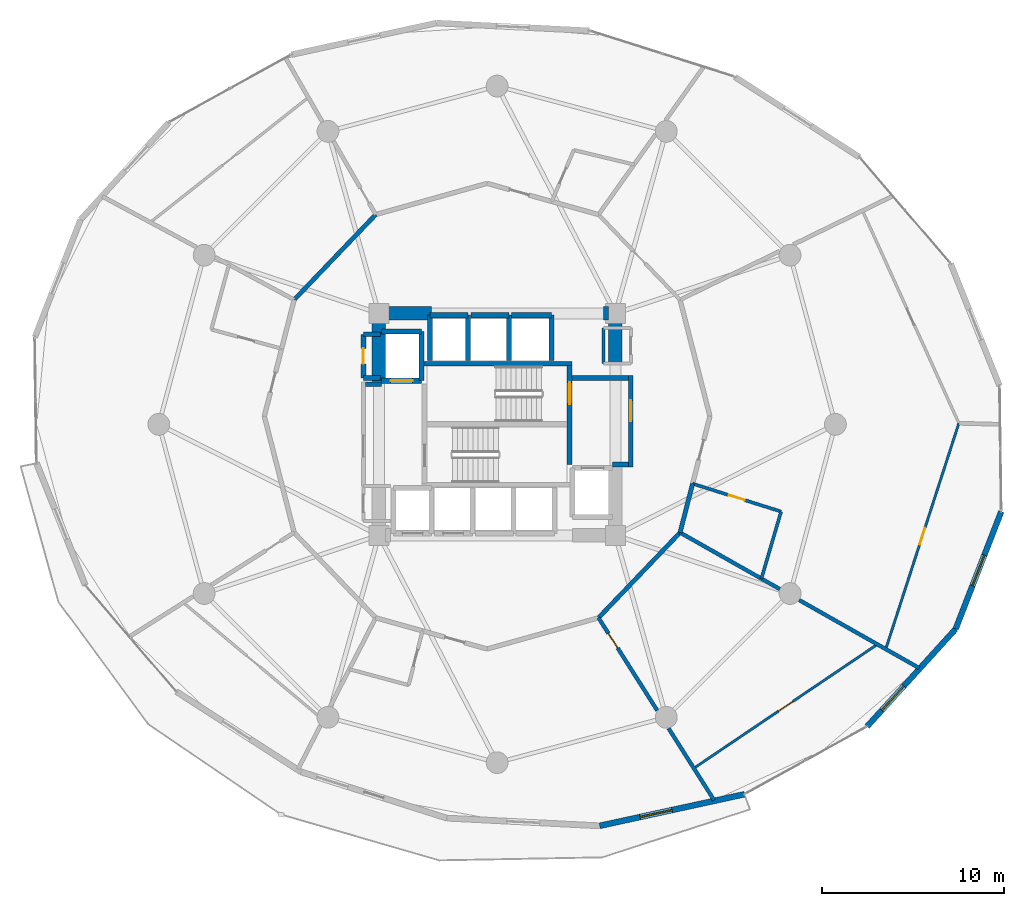
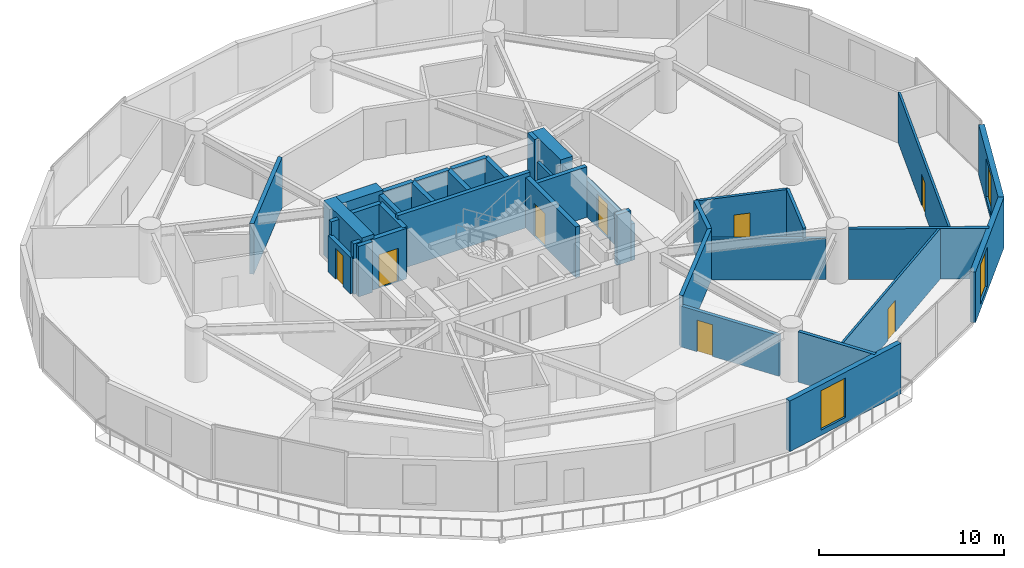
# One storey, part 18 of 23: 38 walls, 8 doors, 3 windows, 11 openings.
"""IFC4 building model written with IfcOpenShell, lengths in metres."""

from ifc_helpers import new_model, si_unit, direction, frame, frame_2d, origin, place, context, subcontext, project, spatial, rectangle, extrude, material, layer, layer_set, type_object, element, fill, save


model = new_model("IFC4")

# Units and contexts
model_context = context("Model", 3, precision=1e-05, world=origin(), true_north=direction((0.0, 1.0)))
body_context = subcontext(model_context, "Body", "Model", "MODEL_VIEW")
ifc_project = project(units=[si_unit("LENGTHUNIT", "METRE"), si_unit("AREAUNIT", "SQUARE_METRE"), si_unit("VOLUMEUNIT", "CUBIC_METRE"), si_unit("PLANEANGLEUNIT", "RADIAN"), si_unit("MASSUNIT", "GRAM", prefix="KILO")], contexts=[model_context])

# Site, building, storey
site_placement = place(None, origin())
site = spatial("IfcSite", under=ifc_project, at=site_placement, CompositionType="ELEMENT")
building_placement = place(site_placement, origin())
building = spatial("IfcBuilding", under=site, at=building_placement, Name="Solvirekh Grand Hotel", CompositionType="ELEMENT")
storey_placement = place(building_placement, frame((0.0, 0.0, 46.39990234375)))
storey = spatial("IfcBuildingStorey", under=building, at=storey_placement, Name="L10", CompositionType="ELEMENT", Elevation=46.39990234375)

# Walls
ifc_material_1 = material(Name="Concrete C50/60", Category="concrete")
ifc_layer_1 = layer(ifc_material_1, 0.35009765625)
ifc_layer_set_1 = layer_set([ifc_layer_1], Name="Concrete C50/60")
wall_type_1 = type_object("IfcWallType", Name="CoreDivWall_RC350", PredefinedType="SOLIDWALL", material=ifc_layer_set_1)
wall_1_placement = place(storey_placement, frame((-4.1298828125, 3.324951171875, 0.0), z_axis=(0.0, 0.0, 1.0), x_axis=(1.0, 0.0, 0.0)))
element("IfcWall", 1, at=wall_1_placement, inside=storey, type_object=wall_type_1, Name="L10 core stair box wall ST-N", PredefinedType="SOLIDWALL", context=body_context, shape_type="SweptSolid", body=[
    extrude(rectangle(XDim=8.259765625, YDim=0.25, at=frame_2d((4.1298828125, 0.0))), origin(), (0.0, 0.0, 1.0), 3.60009765625),
])
ifc_material_2 = material(Name="Concrete C40/50", Category="concrete")
ifc_layer_2 = layer(ifc_material_2, 0.280029296875)
ifc_layer_set_2 = layer_set([ifc_layer_2], Name="Concrete C40/50")
wall_type_2 = type_object("IfcWallType", Name="CoreShaftWall_RC280", PredefinedType="SOLIDWALL", material=ifc_layer_set_2)
wall_2_placement = place(storey_placement, frame((-1.60009765625, 6.0, 0.0), z_axis=(0.0, 0.0, 1.0), x_axis=(-1.0, 0.0, 0.0)))
element("IfcWall", 2, at=wall_2_placement, inside=storey, type_object=wall_type_2, Name="L10 HP-1 hoistway N wall", PredefinedType="SOLIDWALL", context=body_context, shape_type="SweptSolid", body=[
    extrude(rectangle(XDim=2.099853515625, YDim=0.280029296875, at=frame_2d((1.0498046875, 0.0))), origin(), (0.0, 0.0, 1.0), 3.340087890625),
])
for number, where, z_axis, x_axis, name in (
    (3, (-3.699951171875, 6.0, 0.0), (0.0, 0.0, 1.0), (0.0, -1.0, 0.0), "L10 HP-1 hoistway W wall"),
    (4, (-1.60009765625, 3.5, 0.0), (0.0, 0.0, 1.0), (0.0, 1.0, 0.0), "L10 HP-1 hoistway E wall"),
):
    element("IfcWall", number, at=place(storey_placement, frame(where, z_axis=z_axis, x_axis=x_axis)), inside=storey, type_object=wall_type_2, Name=name, PredefinedType="SOLIDWALL", context=body_context, shape_type="SweptSolid", body=[
        extrude(rectangle(XDim=2.5, YDim=0.280029296875, at=frame_2d((1.25, 0.0))), origin(), (0.0, 0.0, 1.0), 3.340087890625),
    ])
wall_3_placement = place(storey_placement, frame((0.64990234375, 6.0, 0.0), z_axis=(0.0, 0.0, 1.0), x_axis=(-1.0, 0.0, 0.0)))
element("IfcWall", 5, at=wall_3_placement, inside=storey, type_object=wall_type_2, Name="L10 HP-2 hoistway N wall", PredefinedType="SOLIDWALL", context=body_context, shape_type="SweptSolid", body=[
    extrude(rectangle(XDim=2.099853515625, YDim=0.280029296875, at=frame_2d((1.0498046875, 0.0))), origin(), (0.0, 0.0, 1.0), 3.340087890625),
])
wall_4_placement = place(storey_placement, frame((0.64990234375, 3.5, 0.0), z_axis=(0.0, 0.0, 1.0), x_axis=(0.0, 1.0, 0.0)))
element("IfcWall", 6, at=wall_4_placement, inside=storey, type_object=wall_type_2, Name="L10 HP-2 hoistway E wall", PredefinedType="SOLIDWALL", context=body_context, shape_type="SweptSolid", body=[
    extrude(rectangle(XDim=2.5, YDim=0.280029296875, at=frame_2d((1.25, 0.0))), origin(), (0.0, 0.0, 1.0), 3.340087890625),
])
wall_5_placement = place(storey_placement, frame((3.0, 6.0, 0.0), z_axis=(0.0, 0.0, 1.0), x_axis=(-1.0, 0.0, 0.0)))
element("IfcWall", 7, at=wall_5_placement, inside=storey, type_object=wall_type_2, Name="L10 EX-1 hoistway N wall", PredefinedType="SOLIDWALL", context=body_context, shape_type="SweptSolid", body=[
    extrude(rectangle(XDim=2.199951171875, YDim=0.280029296875, at=frame_2d((1.10009765625, 0.0))), origin(), (0.0, 0.0, 1.0), 3.340087890625),
])
wall_6_placement = place(storey_placement, frame((3.0, 3.5, 0.0), z_axis=(0.0, 0.0, 1.0), x_axis=(0.0, 1.0, 0.0)))
element("IfcWall", 8, at=wall_6_placement, inside=storey, type_object=wall_type_2, Name="L10 EX-1 hoistway E wall", PredefinedType="SOLIDWALL", context=body_context, shape_type="SweptSolid", body=[
    extrude(rectangle(XDim=2.5, YDim=0.280029296875, at=frame_2d((1.25, 0.0))), origin(), (0.0, 0.0, 1.0), 3.340087890625),
])

# Wall, opening, door
wall_7_placement = place(storey_placement, frame((-6.35009765625, 2.39990234375, 0.0), z_axis=(0.0, 0.0, 1.0), x_axis=(1.0, 0.0, 0.0)))
wall_7 = element("IfcWall", 9, at=wall_7_placement, inside=storey, type_object=wall_type_2, Name="L10 FL-1 hoistway S wall", PredefinedType="SOLIDWALL", context=body_context, shape_type="SweptSolid", body=[
    extrude(rectangle(XDim=2.2001953125, YDim=0.280029296875, at=frame_2d((1.10009765625, 0.0))), origin(), (0.0, 0.0, 1.0), 3.340087890625),
])
opening_1_placement = place(wall_7_placement, frame((0.5, 0.0, 0.0)))
opening_1 = element("IfcOpeningElement", 10, at=opening_1_placement, cuts=wall_7, Name="Opening LD02", PredefinedType="OPENING", context=body_context, shape_type="SweptSolid", body=[
    extrude(rectangle(XDim=1.199951171875, YDim=2.199951171875, at=frame_2d((0.60009765625, 1.10009765625))), frame((0.0, 0.14990234375, 0.0), z_axis=(0.0, -1.0, 0.0), x_axis=(1.0, 0.0, 0.0)), (0.0, 0.0, 1.0), 0.300048828125),
])
ifc_material_3 = material(Name="Fire-Rated Steel Door Assembly", Category="steel")
door_type_1 = type_object("IfcDoorType", Name="Door_LiftFF_1200X2200", OperationType="SLIDING_TO_LEFT", PredefinedType="DOOR", material=ifc_material_3)
door_1_placement = place(opening_1_placement, origin())
door_1 = element("IfcDoor", 11, at=door_1_placement, inside=storey, type_object=door_type_1, Name="L10 FL-1 sliding lift landing door", OperationType="SLIDING_TO_LEFT", OverallHeight=2.199951171875, OverallWidth=1.199951171875, PredefinedType="DOOR", context=body_context, shape_type="SweptSolid", body=[
    extrude(rectangle(XDim=1.199951171875, YDim=2.199951171875, at=frame_2d((0.60009765625, 1.10009765625))), frame((0.0, 0.02490234375, 0.0), z_axis=(0.0, -1.0, 0.0), x_axis=(1.0, 0.0, 0.0)), (0.0, 0.0, 1.0), 0.050048828125),
])
fill(opening_1, door_1)

# Walls
wall_8_placement = place(storey_placement, frame((-4.14990234375, 5.10009765625, 0.0), z_axis=(0.0, 0.0, 1.0), x_axis=(-1.0, 0.0, 0.0)))
element("IfcWall", 12, at=wall_8_placement, inside=storey, type_object=wall_type_2, Name="L10 FL-1 hoistway N wall", PredefinedType="SOLIDWALL", context=body_context, shape_type="SweptSolid", body=[
    extrude(rectangle(XDim=2.2001953125, YDim=0.280029296875, at=frame_2d((1.10009765625, 0.0))), origin(), (0.0, 0.0, 1.0), 3.340087890625),
])
wall_9_placement = place(storey_placement, frame((-4.14990234375, 2.39990234375, 0.0), z_axis=(0.0, 0.0, 1.0), x_axis=(0.0, 1.0, 0.0)))
element("IfcWall", 13, at=wall_9_placement, inside=storey, type_object=wall_type_2, Name="L10 FL-1 hoistway E wall", PredefinedType="SOLIDWALL", context=body_context, shape_type="SweptSolid", body=[
    extrude(rectangle(XDim=2.7001953125, YDim=0.280029296875, at=frame_2d((1.35009765625, 0.0))), origin(), (0.0, 0.0, 1.0), 3.340087890625),
])

# Wall, opening, door
wall_10_placement = place(storey_placement, frame((3.989990234375, -2.2099609375, 0.0), z_axis=(0.0, 0.0, 1.0), x_axis=(0.0, 1.0, 0.0)))
wall_10 = element("IfcWall", 14, at=wall_10_placement, inside=storey, type_object=wall_type_2, Name="L10 east stair landing enclosure wall", PredefinedType="SOLIDWALL", context=body_context, shape_type="SweptSolid", body=[
    extrude(rectangle(XDim=5.4599609375, YDim=0.280029296875, at=frame_2d((2.72998046875, 0.0))), origin(), (0.0, 0.0, 1.0), 3.340087890625),
])
opening_2_placement = place(wall_10_placement, frame((3.322998046875, 0.0, 0.0)))
opening_2 = element("IfcOpeningElement", 15, at=opening_2_placement, cuts=wall_10, Name="Opening D05", PredefinedType="OPENING", context=body_context, shape_type="SweptSolid", body=[
    extrude(rectangle(XDim=1.199951171875, YDim=2.199951171875, at=frame_2d((0.60009765625, 1.10009765625))), frame((0.0, 0.14990234375, 0.0), z_axis=(0.0, -1.0, 0.0), x_axis=(1.0, 0.0, 0.0)), (0.0, 0.0, 1.0), 0.300048828125),
])
door_type_2 = type_object("IfcDoorType", Name="Door_StairCore_1200X2200", OperationType="NOTDEFINED", PredefinedType="DOOR", material=ifc_material_3)
door_2_placement = place(opening_2_placement, origin())
door_2 = element("IfcDoor", 16, at=door_2_placement, inside=storey, type_object=door_type_2, Name="L10 exit stair ST-2 fire door", OperationType="SINGLE_SWING_LEFT", OverallHeight=2.199951171875, OverallWidth=1.199951171875, PredefinedType="DOOR", context=body_context, shape_type="SweptSolid", body=[
    extrude(rectangle(XDim=1.199951171875, YDim=2.199951171875, at=frame_2d((0.60009765625, 1.10009765625))), frame((0.0, 0.02490234375, 0.0), z_axis=(0.0, -1.0, 0.0), x_axis=(1.0, 0.0, 0.0)), (0.0, 0.0, 1.0), 0.050048828125),
])
fill(opening_2, door_2)

# Walls
ifc_material_4 = material(Name="Concrete C60/75", Category="concrete")
ifc_layer_3 = layer(ifc_material_4, 0.75)
ifc_layer_set_3 = layer_set([ifc_layer_3], Name="Concrete C60/75")
wall_type_3 = type_object("IfcWallType", Name="CoreWall_RC750", PredefinedType="SHEAR", material=ifc_layer_set_3)
wall_11_placement = place(storey_placement, frame((-6.125, 6.10009765625, 0.0), z_axis=(0.0, 0.0, 1.0), x_axis=(1.0, 0.0, 0.0)))
element("IfcWall", 17, at=wall_11_placement, inside=storey, type_object=wall_type_3, Name="L10 core corner shear wall NW-N", PredefinedType="SHEAR", context=body_context, shape_type="SweptSolid", body=[
    extrude(rectangle(XDim=2.52490234375, YDim=0.75, at=frame_2d((1.262451171875, 0.0))), origin(), (0.0, 0.0, 1.0), 3.60009765625),
])
wall_12_placement = place(storey_placement, frame((5.85009765625, 6.10009765625, 0.0), z_axis=(0.0, 0.0, 1.0), x_axis=(1.0, 0.0, 0.0)))
element("IfcWall", 18, at=wall_12_placement, inside=storey, type_object=wall_type_3, Name="L10 core corner shear wall NE-N", PredefinedType="SHEAR", context=body_context, shape_type="SweptSolid", body=[
    extrude(rectangle(XDim=0.27490234375, YDim=0.75, at=frame_2d((0.137451171875, 0.0))), origin(), (0.0, 0.0, 1.0), 3.60009765625),
])
wall_13_placement = place(storey_placement, frame((-6.5, 2.35009765625, 0.0), z_axis=(0.0, 0.0, 1.0), x_axis=(0.0, 1.0, 0.0)))
element("IfcWall", 19, at=wall_13_placement, inside=storey, type_object=wall_type_3, Name="L10 core corner shear wall WN-W", PredefinedType="SHEAR", context=body_context, shape_type="SweptSolid", body=[
    extrude(rectangle(XDim=4.125, YDim=0.75, at=frame_2d((2.0625, 0.0))), origin(), (0.0, 0.0, 1.0), 3.60009765625),
])
wall_14_placement = place(storey_placement, frame((6.5, 3.35009765625, 0.0), z_axis=(0.0, 0.0, 1.0), x_axis=(0.0, 1.0, 0.0)))
element("IfcWall", 20, at=wall_14_placement, inside=storey, type_object=wall_type_3, Name="L10 core corner shear wall EN-E", PredefinedType="SHEAR", context=body_context, shape_type="SweptSolid", body=[
    extrude(rectangle(XDim=3.125, YDim=0.75, at=frame_2d((1.5625, 0.0))), origin(), (0.0, 0.0, 1.0), 3.60009765625),
])

# Wall, opening, window
ifc_material_5 = material(Name="Precast concrete C45/55", Category="concrete")
ifc_layer_4 = layer(ifc_material_5, 0.320068359375)
ifc_layer_set_4 = layer_set([ifc_layer_4], Name="Precast concrete C45/55")
wall_type_4 = type_object("IfcWallType", Name="ExtLobbyWall_RC320", PredefinedType="SOLIDWALL", material=ifc_layer_set_4)
wall_15_placement = place(storey_placement, frame((13.60302734375, -20.3359375, 0.0), z_axis=(0.0, 0.0, 1.0), x_axis=(-0.977017916809, -0.213157196066, 0.0)))
wall_15 = element("IfcWall", 21, at=wall_15_placement, inside=storey, type_object=wall_type_4, Name="L10 exterior structural wall chord 17", PredefinedType="SOLIDWALL", context=body_context, shape_type="SweptSolid", body=[
    extrude(rectangle(XDim=8.149169921875, YDim=0.320068359375, at=frame_2d((4.07470703125, 0.0))), origin(), (0.0, 0.0, 1.0), 3.340087890625),
])
opening_3_placement = place(wall_15_placement, frame((4.076904296875, 0.0, 0.35009765625)))
opening_3 = element("IfcOpeningElement", 22, at=opening_3_placement, cuts=wall_15, Name="Opening W02", PredefinedType="OPENING", context=body_context, shape_type="SweptSolid", body=[
    extrude(rectangle(XDim=1.800048828125, YDim=2.60009765625, at=frame_2d((0.89990234375, 1.300048828125))), frame((0.0, 0.169921875, 0.0), z_axis=(0.0, -1.0, 0.0), x_axis=(1.0, 0.0, 0.0)), (0.0, 0.0, 1.0), 0.340087890625),
])
ifc_material_6 = material(Name="Low-E Tinted Bronze Laminated Glass", Category="aluminium")
window_type = type_object("IfcWindowType", Name="Win_LobbyExt_1800X2600", PartitioningType="SINGLE_PANEL", PredefinedType="WINDOW", material=ifc_material_6)
window_1_placement = place(opening_3_placement, origin())
window_1 = element("IfcWindow", 23, at=window_1_placement, inside=storey, type_object=window_type, Name="L10 panoramic bronze-framed window 17", OverallHeight=2.60009765625, OverallWidth=1.800048828125, PartitioningType="SINGLE_PANEL", PredefinedType="WINDOW", context=body_context, shape_type="SweptSolid", body=[
    extrude(rectangle(XDim=1.800048828125, YDim=2.60009765625, at=frame_2d((0.89990234375, 1.300048828125))), frame((0.0, 0.030029296875, 0.0), z_axis=(0.0, -1.0, 0.0), x_axis=(1.0, 0.0, 0.0)), (0.0, 0.0, 1.0), 0.06005859375),
])
fill(opening_3, window_1)

wall_16_placement = place(storey_placement, frame((25.2109375, -11.2548828125, 0.0), z_axis=(0.0, 0.0, 1.0), x_axis=(-0.672493004141, -0.740103478833, 0.0)))
wall_16 = element("IfcWall", 24, at=wall_16_placement, inside=storey, type_object=wall_type_4, Name="L10 exterior structural wall chord 19", PredefinedType="SOLIDWALL", context=body_context, shape_type="SweptSolid", body=[
    extrude(rectangle(XDim=7.23291015625, YDim=0.320068359375, at=frame_2d((3.616455078125, 0.0))), origin(), (0.0, 0.0, 1.0), 3.340087890625),
])
opening_4_placement = place(wall_16_placement, frame((4.23291015625, 0.0, 0.35009765625)))
opening_4 = element("IfcOpeningElement", 25, at=opening_4_placement, cuts=wall_16, Name="Opening W02", PredefinedType="OPENING", context=body_context, shape_type="SweptSolid", body=[
    extrude(rectangle(XDim=1.800048828125, YDim=2.60009765625, at=frame_2d((0.89990234375, 1.300048828125))), frame((0.0, 0.169921875, 0.0), z_axis=(0.0, -1.0, 0.0), x_axis=(1.0, 0.0, 0.0)), (0.0, 0.0, 1.0), 0.340087890625),
])
window_2_placement = place(opening_4_placement, origin())
window_2 = element("IfcWindow", 26, at=window_2_placement, inside=storey, type_object=window_type, Name="L10 panoramic bronze-framed window 19", OverallHeight=2.60009765625, OverallWidth=1.800048828125, PartitioningType="SINGLE_PANEL", PredefinedType="WINDOW", context=body_context, shape_type="SweptSolid", body=[
    extrude(rectangle(XDim=1.800048828125, YDim=2.60009765625, at=frame_2d((0.89990234375, 1.300048828125))), frame((0.0, 0.030029296875, 0.0), z_axis=(0.0, -1.0, 0.0), x_axis=(1.0, 0.0, 0.0)), (0.0, 0.0, 1.0), 0.06005859375),
])
fill(opening_4, window_2)

wall_17_placement = place(storey_placement, frame((27.719970703125, -4.800048828125, 0.0), z_axis=(0.0, 0.0, 1.0), x_axis=(-0.362298249398, -0.93206221814, 0.0)))
wall_17 = element("IfcWall", 27, at=wall_17_placement, inside=storey, type_object=wall_type_4, Name="L10 exterior structural wall chord 20", PredefinedType="SOLIDWALL", context=body_context, shape_type="SweptSolid", body=[
    extrude(rectangle(XDim=6.92529296875, YDim=0.320068359375, at=frame_2d((3.462646484375, 0.0))), origin(), (0.0, 0.0, 1.0), 3.340087890625),
])
opening_5_placement = place(wall_17_placement, frame((2.56298828125, 0.0, 0.35009765625)))
opening_5 = element("IfcOpeningElement", 28, at=opening_5_placement, cuts=wall_17, Name="Opening W02", PredefinedType="OPENING", context=body_context, shape_type="SweptSolid", body=[
    extrude(rectangle(XDim=1.800048828125, YDim=2.60009765625, at=frame_2d((0.89990234375, 1.300048828125))), frame((0.0, 0.169921875, 0.0), z_axis=(0.0, -1.0, 0.0), x_axis=(1.0, 0.0, 0.0)), (0.0, 0.0, 1.0), 0.340087890625),
])
window_3_placement = place(opening_5_placement, origin())
window_3 = element("IfcWindow", 29, at=window_3_placement, inside=storey, type_object=window_type, Name="L10 panoramic bronze-framed window 20", OverallHeight=2.60009765625, OverallWidth=1.800048828125, PartitioningType="SINGLE_PANEL", PredefinedType="WINDOW", context=body_context, shape_type="SweptSolid", body=[
    extrude(rectangle(XDim=1.800048828125, YDim=2.60009765625, at=frame_2d((0.89990234375, 1.300048828125))), frame((0.0, 0.030029296875, 0.0), z_axis=(0.0, -1.0, 0.0), x_axis=(1.0, 0.0, 0.0)), (0.0, 0.0, 1.0), 0.06005859375),
])
fill(opening_5, window_3)

# Wall
ifc_material_7 = material(Name="Acoustic Gypsum Partition Assembly")
ifc_layer_5 = layer(ifc_material_7, 0.1650390625)
ifc_layer_set_5 = layer_set([ifc_layer_5], Name="Acoustic Gypsum Partition Assembly")
wall_type_5 = type_object("IfcWallType", Name="Part_BOH_165", PredefinedType="PARTITIONING", material=ifc_layer_set_5)
wall_18_placement = place(storey_placement, frame((5.85009765625, 5.300048828125, 0.0), z_axis=(0.0, 0.0, 1.0), x_axis=(0.0, -1.0, 0.0)))
element("IfcWall", 30, at=wall_18_placement, inside=storey, type_object=wall_type_5, Name="L10 L10 Core Housekeeping Room wall 4", PredefinedType="PARTITIONING", context=body_context, shape_type="SweptSolid", body=[
    extrude(rectangle(XDim=1.949951171875, YDim=0.1650390625, at=frame_2d((0.97509765625, 0.0))), origin(), (0.0, 0.0, 1.0), 2.425048828125),
])

# Wall, opening, door
ifc_layer_6 = layer(ifc_material_7, 0.239990234375)
ifc_layer_set_6 = layer_set([ifc_layer_6], Name="Acoustic Gypsum Partition Assembly")
wall_type_6 = type_object("IfcWallType", Name="Part_Corridor_240", PredefinedType="PARTITIONING", material=ifc_layer_set_6)
wall_19_placement = place(storey_placement, frame((7.35009765625, -2.340087890625, 0.0), z_axis=(0.0, 0.0, 1.0), x_axis=(0.0, 1.0, 0.0)))
wall_19 = element("IfcWall", 31, at=wall_19_placement, inside=storey, type_object=wall_type_6, Name="L10 east firefighting lobby smoke screen wall", PredefinedType="PARTITIONING", context=body_context, shape_type="SweptSolid", body=[
    extrude(rectangle(XDim=5.02001953125, YDim=0.239990234375, at=frame_2d((2.510009765625, 0.0))), origin(), (0.0, 0.0, 1.0), 2.425048828125),
])
opening_6_placement = place(wall_19_placement, frame((2.514892578125, 0.0, 0.0)))
opening_6 = element("IfcOpeningElement", 32, at=opening_6_placement, cuts=wall_19, Name="Opening D06", PredefinedType="OPENING", context=body_context, shape_type="SweptSolid", body=[
    extrude(rectangle(XDim=1.14990234375, YDim=2.199951171875, at=frame_2d((0.574951171875, 1.10009765625))), frame((0.0, 0.1298828125, 0.0), z_axis=(0.0, -1.0, 0.0), x_axis=(1.0, 0.0, 0.0)), (0.0, 0.0, 1.0), 0.260009765625),
])
door_type_3 = type_object("IfcDoorType", Name="Door_FFLobby_1150X2200", OperationType="NOTDEFINED", PredefinedType="DOOR", material=ifc_material_3)
door_3_placement = place(opening_6_placement, origin())
door_3 = element("IfcDoor", 33, at=door_3_placement, inside=storey, type_object=door_type_3, Name="L10 east firefighting lobby smoke door", OperationType="SINGLE_SWING_LEFT", OverallHeight=2.199951171875, OverallWidth=1.14990234375, PredefinedType="DOOR", context=body_context, shape_type="SweptSolid", body=[
    extrude(rectangle(XDim=1.14990234375, YDim=2.199951171875, at=frame_2d((0.574951171875, 1.10009765625))), frame((0.0, 0.02490234375, 0.0), z_axis=(0.0, -1.0, 0.0), x_axis=(1.0, 0.0, 0.0)), (0.0, 0.0, 1.0), 0.050048828125),
])
fill(opening_6, door_3)

# Walls
wall_20_placement = place(storey_placement, frame((-6.675048828125, 11.534912109375, 0.0), z_axis=(0.0, 0.0, 1.0), x_axis=(-0.691444859665, -0.722429239471, 0.0)))
element("IfcWall", 34, at=wall_20_placement, inside=storey, type_object=wall_type_6, Name="L10 Diplomatic Suite 1201 Suite Foyer corridor enclosure wall", PredefinedType="PARTITIONING", context=body_context, shape_type="SweptSolid", body=[
    extrude(rectangle(XDim=6.48486328125, YDim=0.239990234375, at=frame_2d((3.242431640625, 0.0))), origin(), (0.0, 0.0, 1.0), 3.340087890625),
])
wall_21_placement = place(storey_placement, frame((5.574951171875, -10.635009765625, 0.0), z_axis=(0.0, 0.0, 1.0), x_axis=(0.691445702336, 0.722428432941, 0.0)))
element("IfcWall", 35, at=wall_21_placement, inside=storey, type_object=wall_type_6, Name="L10 Diplomatic Suite 1203 Suite Foyer corridor enclosure wall", PredefinedType="PARTITIONING", context=body_context, shape_type="SweptSolid", body=[
    extrude(rectangle(XDim=6.485107421875, YDim=0.239990234375, at=frame_2d((3.24267578125, 0.0))), origin(), (0.0, 0.0, 1.0), 3.340087890625),
])
wall_22_placement = place(storey_placement, frame((10.05908203125, -5.949951171875, 0.0), z_axis=(0.0, 0.0, 1.0), x_axis=(0.248286444079, 0.968686658154, 0.0)))
element("IfcWall", 36, at=wall_22_placement, inside=storey, type_object=wall_type_6, Name="L10 En-suite Bathroom 1204 corridor backing wall", PredefinedType="PARTITIONING", context=body_context, shape_type="SweptSolid", body=[
    extrude(rectangle(XDim=2.77490234375, YDim=0.239990234375, at=frame_2d((1.387451171875, 0.0))), origin(), (0.0, 0.0, 1.0), 3.340087890625),
])
ifc_layer_7 = layer(ifc_material_7, 0.260009765625)
ifc_layer_set_7 = layer_set([ifc_layer_7], Name="Acoustic Gypsum Partition Assembly")
wall_type_7 = type_object("IfcWallType", Name="Part_LobbyFF_260", PredefinedType="PARTITIONING", material=ifc_layer_set_7)
for number, where, z_axis, x_axis, name in (
    (37, (-7.22509765625, 2.2099609375, 0.0), (0.0, 0.0, 1.0), (1.0, 0.0, 0.0), "L10 west firefighting lobby NW cheek"),
    (38, (6.35009765625, -2.2099609375, 0.0), (0.0, 0.0, 1.0), (1.0, 0.0, 0.0), "L10 east firefighting lobby SE cheek"),
):
    element("IfcWall", number, at=place(storey_placement, frame(where, z_axis=z_axis, x_axis=x_axis)), inside=storey, type_object=wall_type_7, Name=name, PredefinedType="PARTITIONING", context=body_context, shape_type="SweptSolid", body=[
        extrude(rectangle(XDim=0.875, YDim=0.260009765625, at=frame_2d((0.4375, 0.0))), origin(), (0.0, 0.0, 1.0), 3.340087890625),
    ])
wall_23_placement = place(storey_placement, frame((4.1298828125, 2.550048828125, 0.0), z_axis=(0.0, 0.0, 1.0), x_axis=(1.0, 0.0, 0.0)))
element("IfcWall", 39, at=wall_23_placement, inside=storey, type_object=wall_type_7, Name="L10 east firefighting lobby north partition", PredefinedType="PARTITIONING", context=body_context, shape_type="SweptSolid", body=[
    extrude(rectangle(XDim=3.09521484375, YDim=0.260009765625, at=frame_2d((1.547607421875, 0.0))), origin(), (0.0, 0.0, 1.0), 3.340087890625),
])
for number, where, z_axis, x_axis, name in (
    (40, (-7.35009765625, 4.949951171875, 0.0), (0.0, 0.0, 1.0), (1.0, 0.0, 0.0), "L10 NW telecom metering cupboard north wall"),
    (41, (-7.35009765625, 2.550048828125, 0.0), (0.0, 0.0, 1.0), (1.0, 0.0, 0.0), "L10 NW telecom metering cupboard south wall"),
):
    element("IfcWall", number, at=place(storey_placement, frame(where, z_axis=z_axis, x_axis=x_axis)), inside=storey, type_object=wall_type_7, Name=name, PredefinedType="PARTITIONING", context=body_context, shape_type="SweptSolid", body=[
        extrude(rectangle(XDim=0.93017578125, YDim=0.260009765625, at=frame_2d((0.465087890625, 0.0))), origin(), (0.0, 0.0, 1.0), 3.340087890625),
    ])

# Wall, opening, door
wall_24_placement = place(storey_placement, frame((-7.35009765625, 2.550048828125, 0.0), z_axis=(0.0, 0.0, 1.0), x_axis=(0.0, 1.0, 0.0)))
wall_24 = element("IfcWall", 42, at=wall_24_placement, inside=storey, type_object=wall_type_7, Name="L10 NW telecom metering cupboard access wall", PredefinedType="PARTITIONING", context=body_context, shape_type="SweptSolid", body=[
    extrude(rectangle(XDim=2.39990234375, YDim=0.260009765625, at=frame_2d((1.199951171875, 0.0))), origin(), (0.0, 0.0, 1.0), 2.425048828125),
])
opening_7_placement = place(wall_24_placement, frame((0.77490234375, 0.0, 0.0)))
opening_7 = element("IfcOpeningElement", 43, at=opening_7_placement, cuts=wall_24, Name="Opening D13", PredefinedType="OPENING", context=body_context, shape_type="SweptSolid", body=[
    extrude(rectangle(XDim=0.85009765625, YDim=2.050048828125, at=frame_2d((0.425048828125, 1.02490234375))), frame((0.0, 0.14013671875, 0.0), z_axis=(0.0, -1.0, 0.0), x_axis=(1.0, 0.0, 0.0)), (0.0, 0.0, 1.0), 0.280029296875),
])
door_type_4 = type_object("IfcDoorType", Name="Door_RiserShaft_850X2050", OperationType="NOTDEFINED", PredefinedType="DOOR", material=ifc_material_3)
door_4_placement = place(opening_7_placement, origin())
door_4 = element("IfcDoor", 44, at=door_4_placement, inside=storey, type_object=door_type_4, Name="L10 telecom metering cupboard access door", OperationType="SINGLE_SWING_RIGHT", OverallHeight=2.050048828125, OverallWidth=0.85009765625, PredefinedType="DOOR", context=body_context, shape_type="SweptSolid", body=[
    extrude(rectangle(XDim=0.85009765625, YDim=2.050048828125, at=frame_2d((0.425048828125, 1.02490234375))), frame((0.0, 0.02490234375, 0.0), z_axis=(0.0, -1.0, 0.0), x_axis=(1.0, 0.0, 0.0)), (0.0, 0.0, 1.0), 0.050048828125),
])
fill(opening_7, door_4)

ifc_layer_8 = layer(ifc_material_7, 0.135009765625)
ifc_layer_set_8 = layer_set([ifc_layer_8], Name="Acoustic Gypsum Partition Assembly")
wall_type_8 = type_object("IfcWallType", Name="Part_RoomInt_135", PredefinedType="PARTITIONING", material=ifc_layer_set_8)
wall_25_placement = place(storey_placement, frame((10.81689453125, -18.906982421875, 0.0), z_axis=(0.0, 0.0, 1.0), x_axis=(0.828865179629, 0.559448401551, 0.0)))
wall_25 = element("IfcWall", 45, at=wall_25_placement, inside=storey, type_object=wall_type_8, Name="L10 Diplomatic Suite 1203 Suite Foyer bedroom screen wall", PredefinedType="PARTITIONING", context=body_context, shape_type="SweptSolid", body=[
    extrude(rectangle(XDim=12.174560546875, YDim=0.135009765625, at=frame_2d((6.08740234375, 0.0))), origin(), (0.0, 0.0, 1.0), 3.340087890625),
])
opening_8_placement = place(wall_25_placement, frame((5.612060546875, 0.0, 0.0)))
opening_8 = element("IfcOpeningElement", 46, at=opening_8_placement, cuts=wall_25, Name="Opening D10", PredefinedType="OPENING", context=body_context, shape_type="SweptSolid", body=[
    extrude(rectangle(XDim=0.949951171875, YDim=2.10009765625, at=frame_2d((0.47509765625, 1.050048828125))), frame((0.0, 0.07763671875, 0.0), z_axis=(0.0, -1.0, 0.0), x_axis=(1.0, 0.0, 0.0)), (0.0, 0.0, 1.0), 0.155029296875),
])
ifc_material_8 = material(Name="Anodized Bronze Aluminium 6063-T6", Category="aluminium")
door_type_5 = type_object("IfcDoorType", Name="Door_RoomInt_950X2100", OperationType="NOTDEFINED", PredefinedType="DOOR", material=ifc_material_8)
door_5_placement = place(opening_8_placement, origin())
door_5 = element("IfcDoor", 47, at=door_5_placement, inside=storey, type_object=door_type_5, Name="L10 Diplomatic Suite 1203 Suite Foyer master bedroom door", OperationType="SINGLE_SWING_RIGHT", OverallHeight=2.10009765625, OverallWidth=0.949951171875, PredefinedType="DOOR", context=body_context, shape_type="SweptSolid", body=[
    extrude(rectangle(XDim=0.949951171875, YDim=2.10009765625, at=frame_2d((0.47509765625, 1.050048828125))), frame((0.0, 0.02490234375, 0.0), z_axis=(0.0, -1.0, 0.0), x_axis=(1.0, 0.0, 0.0)), (0.0, 0.0, 1.0), 0.050048828125),
])
fill(opening_8, door_5)

wall_26_placement = place(storey_placement, frame((21.367919921875, -12.35693359375, 0.0), z_axis=(0.0, 0.0, 1.0), x_axis=(0.307945762787, 0.951403913793, 0.0)))
wall_26 = element("IfcWall", 48, at=wall_26_placement, inside=storey, type_object=wall_type_8, Name="L10 Executive Suite 1204 Living Room bedroom screen wall", PredefinedType="PARTITIONING", context=body_context, shape_type="SweptSolid", body=[
    extrude(rectangle(XDim=13.05419921875, YDim=0.135009765625, at=frame_2d((6.527099609375, 0.0))), origin(), (0.0, 0.0, 1.0), 3.340087890625),
])
opening_9_placement = place(wall_26_placement, frame((6.052001953125, 0.0, 0.0)))
opening_9 = element("IfcOpeningElement", 49, at=opening_9_placement, cuts=wall_26, Name="Opening D10", PredefinedType="OPENING", context=body_context, shape_type="SweptSolid", body=[
    extrude(rectangle(XDim=0.949951171875, YDim=2.10009765625, at=frame_2d((0.47509765625, 1.050048828125))), frame((0.0, 0.07763671875, 0.0), z_axis=(0.0, -1.0, 0.0), x_axis=(1.0, 0.0, 0.0)), (0.0, 0.0, 1.0), 0.155029296875),
])
door_6_placement = place(opening_9_placement, origin())
door_6 = element("IfcDoor", 50, at=door_6_placement, inside=storey, type_object=door_type_5, Name="L10 Executive Suite 1204 Living Room master bedroom door", OperationType="SINGLE_SWING_LEFT", OverallHeight=2.10009765625, OverallWidth=0.949951171875, PredefinedType="DOOR", context=body_context, shape_type="SweptSolid", body=[
    extrude(rectangle(XDim=0.949951171875, YDim=2.10009765625, at=frame_2d((0.47509765625, 1.050048828125))), frame((0.0, 0.02490234375, 0.0), z_axis=(0.0, -1.0, 0.0), x_axis=(1.0, 0.0, 0.0)), (0.0, 0.0, 1.0), 0.050048828125),
])
fill(opening_9, door_6)

ifc_layer_9 = layer(ifc_material_7, 0.2099609375)
ifc_layer_set_9 = layer_set([ifc_layer_9], Name="Acoustic Gypsum Partition Assembly")
wall_type_9 = type_object("IfcWallType", Name="Part_SuiteDemise_210", PredefinedType="PARTITIONING", material=ifc_layer_set_9)
wall_27_placement = place(storey_placement, frame((5.574951171875, -10.635009765625, 0.0), z_axis=(0.0, 0.0, 1.0), x_axis=(0.535249320239, -0.844694125222, 0.0)))
wall_27 = element("IfcWall", 51, at=wall_27_placement, inside=storey, type_object=wall_type_9, Name="L10 suite radial wall 11 (A)", PredefinedType="PARTITIONING", context=body_context, shape_type="SweptSolid", body=[
    extrude(rectangle(XDim=6.036376953125, YDim=0.2099609375, at=frame_2d((3.01806640625, 0.0))), origin(), (0.0, 0.0, 1.0), 2.708984375),
])
opening_10_placement = place(wall_27_placement, frame((1.01708984375, 0.0, 0.0)))
opening_10 = element("IfcOpeningElement", 52, at=opening_10_placement, cuts=wall_27, Name="Opening D10", PredefinedType="OPENING", context=body_context, shape_type="SweptSolid", body=[
    extrude(rectangle(XDim=0.949951171875, YDim=2.10009765625, at=frame_2d((0.47509765625, 1.050048828125))), frame((0.0, 0.114990234375, 0.0), z_axis=(0.0, -1.0, 0.0), x_axis=(1.0, 0.0, 0.0)), (0.0, 0.0, 1.0), 0.22998046875),
])
door_7_placement = place(opening_10_placement, origin())
door_7 = element("IfcDoor", 53, at=door_7_placement, inside=storey, type_object=door_type_5, Name="L10 Diplomatic Suite 1203 Suite Foyer suite connecting door", OperationType="SINGLE_SWING_LEFT", OverallHeight=2.10009765625, OverallWidth=0.949951171875, PredefinedType="DOOR", context=body_context, shape_type="SweptSolid", body=[
    extrude(rectangle(XDim=0.949951171875, YDim=2.10009765625, at=frame_2d((0.47509765625, 1.050048828125))), frame((0.0, 0.02490234375, 0.0), z_axis=(0.0, -1.0, 0.0), x_axis=(1.0, 0.0, 0.0)), (0.0, 0.0, 1.0), 0.050048828125),
])
fill(opening_10, door_7)

# Walls
wall_28_placement = place(storey_placement, frame((9.427978515625, -16.715087890625, 0.0), z_axis=(0.0, 0.0, 1.0), x_axis=(0.535234793796, -0.84470332988, 0.0)))
element("IfcWall", 54, at=wall_28_placement, inside=storey, type_object=wall_type_9, Name="L10 suite radial wall 11 (B)", PredefinedType="PARTITIONING", context=body_context, shape_type="SweptSolid", body=[
    extrude(rectangle(XDim=4.672607421875, YDim=0.2099609375, at=frame_2d((2.33642578125, 0.0))), origin(), (0.0, 0.0, 1.0), 3.340087890625),
])
wall_29_placement = place(storey_placement, frame((10.05908203125, -5.949951171875, 0.0), z_axis=(0.0, 0.0, 1.0), x_axis=(0.870111959412, -0.492854114407, 0.0)))
element("IfcWall", 55, at=wall_29_placement, inside=storey, type_object=wall_type_9, Name="L10 suite radial wall 12 (A)", PredefinedType="PARTITIONING", context=body_context, shape_type="SweptSolid", body=[
    extrude(rectangle(XDim=6.298095703125, YDim=0.2099609375, at=frame_2d((3.14892578125, 0.0))), origin(), (0.0, 0.0, 1.0), 2.708984375),
])
wall_30_placement = place(storey_placement, frame((16.611083984375, -9.662109375, 0.0), z_axis=(0.0, 0.0, 1.0), x_axis=(0.870079719998, -0.492911027314, 0.0)))
element("IfcWall", 56, at=wall_30_placement, inside=storey, type_object=wall_type_9, Name="L10 suite radial wall 12 (B)", PredefinedType="PARTITIONING", context=body_context, shape_type="SweptSolid", body=[
    extrude(rectangle(XDim=7.5830078125, YDim=0.2099609375, at=frame_2d((3.79150390625, 0.0))), origin(), (0.0, 0.0, 1.0), 3.340087890625),
])
ifc_layer_10 = layer(ifc_material_7, 0.175048828125)
ifc_layer_set_10 = layer_set([ifc_layer_10], Name="Acoustic Gypsum Partition Assembly")
wall_type_10 = type_object("IfcWallType", Name="Plumb_Ensuite_175", PredefinedType="PLUMBINGWALL", material=ifc_layer_set_10)
wall_31_placement = place(storey_placement, frame((14.530029296875, -8.48291015625, 0.0), z_axis=(0.0, 0.0, 1.0), x_axis=(0.281994391394, 0.959416053244, 0.0)))
element("IfcWall", 57, at=wall_31_placement, inside=storey, type_object=wall_type_10, Name="L10 En-suite Bathroom 1204 outer plumbing wall", PredefinedType="PLUMBINGWALL", context=body_context, shape_type="SweptSolid", body=[
    extrude(rectangle(XDim=3.843994140625, YDim=0.175048828125, at=frame_2d((1.921875, 0.0))), origin(), (0.0, 0.0, 1.0), 3.340087890625),
])

# Wall, opening, door
wall_32_placement = place(storey_placement, frame((10.748046875, -3.261962890625, 0.0), z_axis=(0.0, 0.0, 1.0), x_axis=(0.95378856577, -0.300478571294, 0.0)))
wall_32 = element("IfcWall", 58, at=wall_32_placement, inside=storey, type_object=wall_type_10, Name="L10 En-suite Bathroom 1204 entry plumbing wall", PredefinedType="PLUMBINGWALL", context=body_context, shape_type="SweptSolid", body=[
    extrude(rectangle(XDim=5.101806640625, YDim=0.175048828125, at=frame_2d((2.55078125, 0.0))), origin(), (0.0, 0.0, 1.0), 3.340087890625),
])
opening_11_placement = place(wall_32_placement, frame((2.10107421875, 0.0, 0.0)))
opening_11 = element("IfcOpeningElement", 59, at=opening_11_placement, cuts=wall_32, Name="Opening D09", PredefinedType="OPENING", context=body_context, shape_type="SweptSolid", body=[
    extrude(rectangle(XDim=0.89990234375, YDim=2.10009765625, at=frame_2d((0.449951171875, 1.050048828125))), frame((0.0, 0.09765625, 0.0), z_axis=(0.0, -1.0, 0.0), x_axis=(1.0, 0.0, 0.0)), (0.0, 0.0, 1.0), 0.195068359375),
])
door_type_6 = type_object("IfcDoorType", Name="Door_Ensuite_900X2100", OperationType="NOTDEFINED", PredefinedType="DOOR", material=ifc_material_8)
door_8_placement = place(opening_11_placement, origin())
door_8 = element("IfcDoor", 60, at=door_8_placement, inside=storey, type_object=door_type_6, Name="L10 En-suite Bathroom 1204 door", OperationType="SINGLE_SWING_LEFT", OverallHeight=2.10009765625, OverallWidth=0.89990234375, PredefinedType="DOOR", context=body_context, shape_type="SweptSolid", body=[
    extrude(rectangle(XDim=0.89990234375, YDim=2.10009765625, at=frame_2d((0.449951171875, 1.050048828125))), frame((0.0, 0.02490234375, 0.0), z_axis=(0.0, -1.0, 0.0), x_axis=(1.0, 0.0, 0.0)), (0.0, 0.0, 1.0), 0.050048828125),
])
fill(opening_11, door_8)

save(model, "model.ifc")
